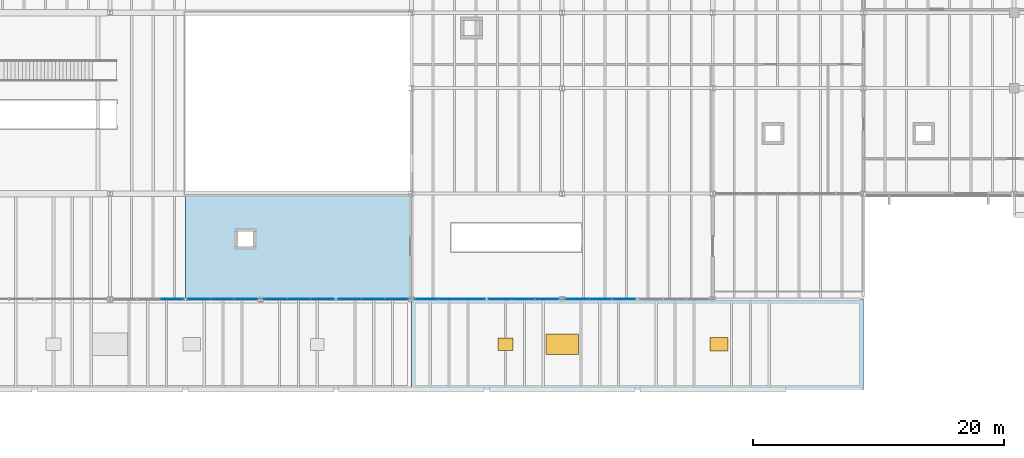
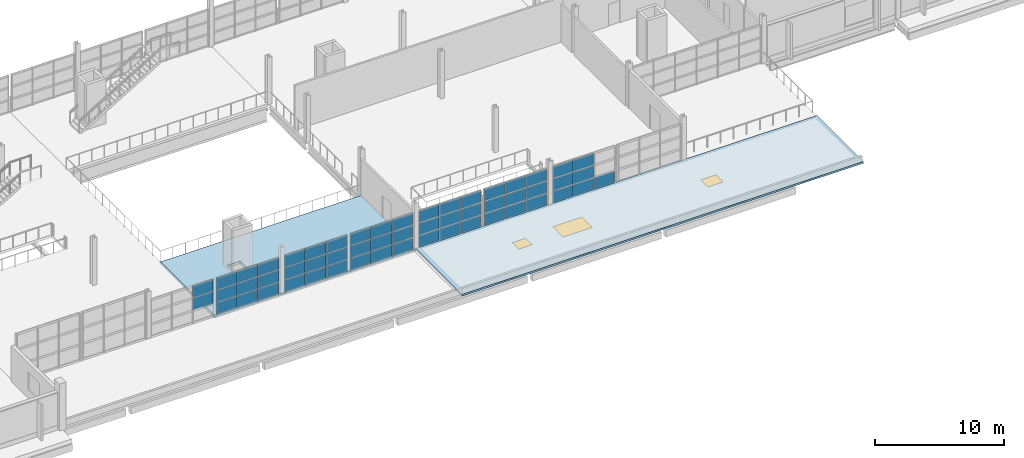
# One storey, part 78 of 114: 54 plates, 2 doors, 2 slabs, 1 window, 3 openings, 7 elements without a shape of their own.
"""IFC4 building model written with IfcOpenShell, lengths in metres."""

from ifc_helpers import new_model, si_unit, direction, frame, origin, origin_2d, place, context, subcontext, project, spatial, polyline, rectangle, outline, extrude, material, layer, layer_set, type_object, element, fill, aggregate, save


model = new_model("IFC4")

# Units and contexts
model_context = context("Model", 3, precision=1e-05, world=origin(), true_north=direction((0.0, 1.0)))
body_context = subcontext(model_context, "Body", "Model", "MODEL_VIEW")
ifc_project = project(units=[si_unit("LENGTHUNIT", "METRE"), si_unit("AREAUNIT", "SQUARE_METRE"), si_unit("VOLUMEUNIT", "CUBIC_METRE"), si_unit("PLANEANGLEUNIT", "RADIAN"), si_unit("MASSUNIT", "GRAM", prefix="KILO")], contexts=[model_context])

# Site, building, storey
site_placement = place(None, origin())
site = spatial("IfcSite", under=ifc_project, at=site_placement, CompositionType="ELEMENT")
building_placement = place(site_placement, origin())
building = spatial("IfcBuilding", under=site, at=building_placement, Name="Kelmvaro Bay Concert Hall", CompositionType="ELEMENT")
storey_placement = place(building_placement, frame((0.0, 0.0, 4.800048828125)))
storey = spatial("IfcBuildingStorey", under=building, at=storey_placement, Name="L01", CompositionType="ELEMENT", Elevation=4.800048828125)

# Slab, openings, window, doors
ifc_material_1 = material(Name="Concrete C40/50", Category="concrete")
ifc_layer_1 = layer(ifc_material_1, 0.169921875)
ifc_layer_set_1 = layer_set([ifc_layer_1], Name="Concrete C40/50")
slab_type_1 = type_object("IfcSlabType", Name="Colonnade Canopy Roof Slab 170", PredefinedType="ROOF", material=ifc_layer_set_1)
slab_1_placement = place(storey_placement, frame((0.0, 0.0, -0.110107421875)))
slab_1 = element("IfcSlab", 1, at=slab_1_placement, inside=storey, type_object=slab_type_1, Name="L01 Roof Slab CN-RW2", PredefinedType="ROOF", context=body_context, shape_type="SweptSolid", body=[
    extrude(outline(polyline([(84.0, 0.0), (120.0, 0.0), (120.0, 7.199951171875), (84.0, 7.199951171875), (84.0, 0.0)])), origin(), (0.0, 0.0, 1.0), 0.170166015625),
])
opening_1_placement = place(slab_1_placement, frame((96.0, 3.60009765625, 0.0)))
opening_1 = element("IfcOpeningElement", 2, at=opening_1_placement, cuts=slab_1, Name="Opening SK-05", PredefinedType="OPENING", context=body_context, shape_type="SweptSolid", body=[
    extrude(rectangle(XDim=2.60009765625, YDim=1.60009765625, at=origin_2d()), origin(), (0.0, 0.0, 1.0), 0.170166015625),
])
opening_2_placement = place(slab_1_placement, frame((91.5, 3.60009765625, 0.0)))
opening_2 = element("IfcOpeningElement", 3, at=opening_2_placement, cuts=slab_1, Name="Opening RH-01", PredefinedType="OPENING", context=body_context, shape_type="SweptSolid", body=[
    extrude(rectangle(XDim=1.199951171875, YDim=1.0, at=origin_2d()), origin(), (0.0, 0.0, 1.0), 0.170166015625),
])
opening_3_placement = place(slab_1_placement, frame((108.5, 3.60009765625, 0.0)))
opening_3 = element("IfcOpeningElement", 4, at=opening_3_placement, cuts=slab_1, Name="Opening RH-02", PredefinedType="OPENING", context=body_context, shape_type="SweptSolid", body=[
    extrude(rectangle(XDim=1.39990234375, YDim=1.10009765625, at=origin_2d()), origin(), (0.0, 0.0, 1.0), 0.170166015625),
])
ifc_material_2 = material(Name="Hurricane Laminated Insulated Skylight Glazing", Category="glass")
window_type = type_object("IfcWindowType", Name="Canopy Promenade Skylight 2600x1600", PartitioningType="SINGLE_PANEL", PredefinedType="SKYLIGHT", material=ifc_material_2)
window_placement = place(opening_1_placement, frame((0.0, 0.0, 0.1201171875)))
window = element("IfcWindow", 5, at=window_placement, inside=storey, type_object=window_type, Name="L01 Roof Skylight 11", OverallHeight=1.60009765625, OverallWidth=2.60009765625, PartitioningType="SINGLE_PANEL", PredefinedType="SKYLIGHT", context=body_context, shape_type="SweptSolid", body=[
    extrude(rectangle(XDim=2.60009765625, YDim=1.60009765625, at=origin_2d()), origin(), (0.0, 0.0, 1.0), 0.050048828125),
])
fill(opening_1, window)
ifc_material_3 = material(Name="Insulated Powder-Coated Aluminium", Category="aluminium")
door_type_1 = type_object("IfcDoorType", Name="Insulated Roof Maintenance Hatch 1200x1000", OperationType="NOTDEFINED", PredefinedType="TRAPDOOR", material=ifc_material_3)
door_1_placement = place(opening_2_placement, frame((0.0, 0.0, 0.1201171875)))
door_1 = element("IfcDoor", 6, at=door_1_placement, inside=storey, type_object=door_type_1, Name="L01 Roof Access Hatch 04", OperationType="SINGLE_SWING_LEFT", OverallHeight=1.0, OverallWidth=1.199951171875, PredefinedType="TRAPDOOR", context=body_context, shape_type="SweptSolid", body=[
    extrude(rectangle(XDim=1.199951171875, YDim=1.0, at=origin_2d()), origin(), (0.0, 0.0, 1.0), 0.050048828125),
])
fill(opening_2, door_1)
ifc_material_4 = material(Name="Insulated Powder-Coated Aluminium", Category="aluminium")
door_type_2 = type_object("IfcDoorType", Name="Smoke Vent and Roof Access Hatch 1400x1100", OperationType="NOTDEFINED", PredefinedType="TRAPDOOR", material=ifc_material_4)
door_2_placement = place(opening_3_placement, frame((0.0, 0.0, 0.1201171875)))
door_2 = element("IfcDoor", 7, at=door_2_placement, inside=storey, type_object=door_type_2, Name="L01 Roof Access Hatch 05", OperationType="SINGLE_SWING_LEFT", OverallHeight=1.10009765625, OverallWidth=1.39990234375, PredefinedType="TRAPDOOR", context=body_context, shape_type="SweptSolid", body=[
    extrude(rectangle(XDim=1.39990234375, YDim=1.10009765625, at=origin_2d()), origin(), (0.0, 0.0, 1.0), 0.050048828125),
])
fill(opening_3, door_2)

# Curtain wall, plates
ifc_material_5 = material(Name="Anodised Aluminium and Low-E Insulated Glazing", Category="aluminium")
curtain_wall_type = type_object("IfcCurtainWallType", Name="Mezzanine Concourse Curtain Wall 4100", PredefinedType="USERDEFINED", material=ifc_material_5)
curtain_wall_1_placement = place(storey_placement, origin())
curtain_wall_1 = element("IfcCurtainWall", 8, at=curtain_wall_1_placement, inside=storey, type_object=curtain_wall_type, Name="Unitised Curtain Wall CW-L01-057", ObjectType="UNITISED GLAZING", PredefinedType="USERDEFINED")
ifc_material_6 = material(Name="Laminated Low-E Insulated Glass", Category="glass")
ifc_layer_2 = layer(ifc_material_6, 1.85009765625)
ifc_layer_set_2 = layer_set([ifc_layer_2], Name="Laminated Low-E Insulated Glass")
plate_type = type_object("IfcPlateType", Name="High-Impact Waterfront Glazing Panel 50", PredefinedType="CURTAIN_PANEL", material=ifc_layer_set_2)
plate_1_placement = place(storey_placement, frame((64.92578125, 7.199951171875, 1.21142578125), z_axis=(0.0, 0.0, 1.0), x_axis=(-1.0, 0.0, 0.0)))
plate_1 = element("IfcPlate", 9, at=plate_1_placement, type_object=plate_type, Name="CW-L01-057 Insulated Glazing Panel 01-2", PredefinedType="CURTAIN_PANEL", context=body_context, shape_type="SweptSolid", body=[
    extrude(rectangle(XDim=1.803466796875, YDim=0.050048828125, at=origin_2d()), origin(), (0.0, 0.0, 1.0), 1.114013671875),
])
plate_2_placement = place(storey_placement, frame((64.92578125, 7.199951171875, 2.390625), z_axis=(0.0, 0.0, 1.0), x_axis=(-1.0, 0.0, 0.0)))
plate_2 = element("IfcPlate", 10, at=plate_2_placement, type_object=plate_type, Name="CW-L01-057 Insulated Glazing Panel 01-3", PredefinedType="CURTAIN_PANEL", context=body_context, shape_type="SweptSolid", body=[
    extrude(rectangle(XDim=1.803466796875, YDim=0.050048828125, at=origin_2d()), origin(), (0.0, 0.0, 1.0), 1.114013671875),
])
aggregate(curtain_wall_1, [plate_1, plate_2])

curtain_wall_2_placement = place(storey_placement, origin())
curtain_wall_2 = element("IfcCurtainWall", 11, at=curtain_wall_2_placement, inside=storey, type_object=curtain_wall_type, Name="Unitised Curtain Wall CW-L01-058", ObjectType="UNITISED GLAZING", PredefinedType="USERDEFINED")
plate_3_placement = place(storey_placement, frame((70.811279296875, 7.199951171875, 0.0322265625), z_axis=(0.0, 0.0, 1.0), x_axis=(-1.0, 0.0, 0.0)))
plate_3 = element("IfcPlate", 12, at=plate_3_placement, type_object=plate_type, Name="CW-L01-058 Insulated Glazing Panel 01-1", PredefinedType="CURTAIN_PANEL", context=body_context, shape_type="SweptSolid", body=[
    extrude(rectangle(XDim=1.803466796875, YDim=0.050048828125, at=origin_2d()), origin(), (0.0, 0.0, 1.0), 1.114013671875),
])
plate_4_placement = place(storey_placement, frame((70.811279296875, 7.199951171875, 1.21142578125), z_axis=(0.0, 0.0, 1.0), x_axis=(-1.0, 0.0, 0.0)))
plate_4 = element("IfcPlate", 13, at=plate_4_placement, type_object=plate_type, Name="CW-L01-058 Insulated Glazing Panel 01-2", PredefinedType="CURTAIN_PANEL", context=body_context, shape_type="SweptSolid", body=[
    extrude(rectangle(XDim=1.803466796875, YDim=0.050048828125, at=origin_2d()), origin(), (0.0, 0.0, 1.0), 1.114013671875),
])
plate_5_placement = place(storey_placement, frame((70.811279296875, 7.199951171875, 2.390625), z_axis=(0.0, 0.0, 1.0), x_axis=(-1.0, 0.0, 0.0)))
plate_5 = element("IfcPlate", 14, at=plate_5_placement, type_object=plate_type, Name="CW-L01-058 Insulated Glazing Panel 01-3", PredefinedType="CURTAIN_PANEL", context=body_context, shape_type="SweptSolid", body=[
    extrude(rectangle(XDim=1.803466796875, YDim=0.050048828125, at=origin_2d()), origin(), (0.0, 0.0, 1.0), 1.114013671875),
])
plate_6_placement = place(storey_placement, frame((68.94287109375, 7.199951171875, 0.0322265625), z_axis=(0.0, 0.0, 1.0), x_axis=(-1.0, 0.0, 0.0)))
plate_6 = element("IfcPlate", 15, at=plate_6_placement, type_object=plate_type, Name="CW-L01-058 Insulated Glazing Panel 02-1", PredefinedType="CURTAIN_PANEL", context=body_context, shape_type="SweptSolid", body=[
    extrude(rectangle(XDim=1.803466796875, YDim=0.050048828125, at=origin_2d()), origin(), (0.0, 0.0, 1.0), 1.114013671875),
])
plate_7_placement = place(storey_placement, frame((68.94287109375, 7.199951171875, 1.21142578125), z_axis=(0.0, 0.0, 1.0), x_axis=(-1.0, 0.0, 0.0)))
plate_7 = element("IfcPlate", 16, at=plate_7_placement, type_object=plate_type, Name="CW-L01-058 Insulated Glazing Panel 02-2", PredefinedType="CURTAIN_PANEL", context=body_context, shape_type="SweptSolid", body=[
    extrude(rectangle(XDim=1.803466796875, YDim=0.050048828125, at=origin_2d()), origin(), (0.0, 0.0, 1.0), 1.114013671875),
])
plate_8_placement = place(storey_placement, frame((68.94287109375, 7.199951171875, 2.390625), z_axis=(0.0, 0.0, 1.0), x_axis=(-1.0, 0.0, 0.0)))
plate_8 = element("IfcPlate", 17, at=plate_8_placement, type_object=plate_type, Name="CW-L01-058 Insulated Glazing Panel 02-3", PredefinedType="CURTAIN_PANEL", context=body_context, shape_type="SweptSolid", body=[
    extrude(rectangle(XDim=1.803466796875, YDim=0.050048828125, at=origin_2d()), origin(), (0.0, 0.0, 1.0), 1.114013671875),
])
plate_9_placement = place(storey_placement, frame((67.07421875, 7.199951171875, 0.0322265625), z_axis=(0.0, 0.0, 1.0), x_axis=(-1.0, 0.0, 0.0)))
plate_9 = element("IfcPlate", 18, at=plate_9_placement, type_object=plate_type, Name="CW-L01-058 Insulated Glazing Panel 03-1", PredefinedType="CURTAIN_PANEL", context=body_context, shape_type="SweptSolid", body=[
    extrude(rectangle(XDim=1.803466796875, YDim=0.050048828125, at=origin_2d()), origin(), (0.0, 0.0, 1.0), 1.114013671875),
])
plate_10_placement = place(storey_placement, frame((67.07421875, 7.199951171875, 1.21142578125), z_axis=(0.0, 0.0, 1.0), x_axis=(-1.0, 0.0, 0.0)))
plate_10 = element("IfcPlate", 19, at=plate_10_placement, type_object=plate_type, Name="CW-L01-058 Insulated Glazing Panel 03-2", PredefinedType="CURTAIN_PANEL", context=body_context, shape_type="SweptSolid", body=[
    extrude(rectangle(XDim=1.803466796875, YDim=0.050048828125, at=origin_2d()), origin(), (0.0, 0.0, 1.0), 1.114013671875),
])
plate_11_placement = place(storey_placement, frame((67.07421875, 7.199951171875, 2.390625), z_axis=(0.0, 0.0, 1.0), x_axis=(-1.0, 0.0, 0.0)))
plate_11 = element("IfcPlate", 20, at=plate_11_placement, type_object=plate_type, Name="CW-L01-058 Insulated Glazing Panel 03-3", PredefinedType="CURTAIN_PANEL", context=body_context, shape_type="SweptSolid", body=[
    extrude(rectangle(XDim=1.803466796875, YDim=0.050048828125, at=origin_2d()), origin(), (0.0, 0.0, 1.0), 1.114013671875),
])
aggregate(curtain_wall_2, [plate_3, plate_4, plate_5, plate_6, plate_7, plate_8, plate_9, plate_10, plate_11])

curtain_wall_3_placement = place(storey_placement, origin())
curtain_wall_3 = element("IfcCurtainWall", 21, at=curtain_wall_3_placement, inside=storey, type_object=curtain_wall_type, Name="Unitised Curtain Wall CW-L01-059", ObjectType="UNITISED GLAZING", PredefinedType="USERDEFINED")
plate_12_placement = place(storey_placement, frame((76.92578125, 7.199951171875, 0.0322265625), z_axis=(0.0, 0.0, 1.0), x_axis=(-1.0, 0.0, 0.0)))
plate_12 = element("IfcPlate", 22, at=plate_12_placement, type_object=plate_type, Name="CW-L01-059 Insulated Glazing Panel 01-1", PredefinedType="CURTAIN_PANEL", context=body_context, shape_type="SweptSolid", body=[
    extrude(rectangle(XDim=1.803466796875, YDim=0.050048828125, at=origin_2d()), origin(), (0.0, 0.0, 1.0), 1.114013671875),
])
plate_13_placement = place(storey_placement, frame((76.92578125, 7.199951171875, 1.21142578125), z_axis=(0.0, 0.0, 1.0), x_axis=(-1.0, 0.0, 0.0)))
plate_13 = element("IfcPlate", 23, at=plate_13_placement, type_object=plate_type, Name="CW-L01-059 Insulated Glazing Panel 01-2", PredefinedType="CURTAIN_PANEL", context=body_context, shape_type="SweptSolid", body=[
    extrude(rectangle(XDim=1.803466796875, YDim=0.050048828125, at=origin_2d()), origin(), (0.0, 0.0, 1.0), 1.114013671875),
])
plate_14_placement = place(storey_placement, frame((76.92578125, 7.199951171875, 2.390625), z_axis=(0.0, 0.0, 1.0), x_axis=(-1.0, 0.0, 0.0)))
plate_14 = element("IfcPlate", 24, at=plate_14_placement, type_object=plate_type, Name="CW-L01-059 Insulated Glazing Panel 01-3", PredefinedType="CURTAIN_PANEL", context=body_context, shape_type="SweptSolid", body=[
    extrude(rectangle(XDim=1.803466796875, YDim=0.050048828125, at=origin_2d()), origin(), (0.0, 0.0, 1.0), 1.114013671875),
])
plate_15_placement = place(storey_placement, frame((75.05712890625, 7.199951171875, 0.0322265625), z_axis=(0.0, 0.0, 1.0), x_axis=(-1.0, 0.0, 0.0)))
plate_15 = element("IfcPlate", 25, at=plate_15_placement, type_object=plate_type, Name="CW-L01-059 Insulated Glazing Panel 02-1", PredefinedType="CURTAIN_PANEL", context=body_context, shape_type="SweptSolid", body=[
    extrude(rectangle(XDim=1.803466796875, YDim=0.050048828125, at=origin_2d()), origin(), (0.0, 0.0, 1.0), 1.114013671875),
])
plate_16_placement = place(storey_placement, frame((75.05712890625, 7.199951171875, 1.21142578125), z_axis=(0.0, 0.0, 1.0), x_axis=(-1.0, 0.0, 0.0)))
plate_16 = element("IfcPlate", 26, at=plate_16_placement, type_object=plate_type, Name="CW-L01-059 Insulated Glazing Panel 02-2", PredefinedType="CURTAIN_PANEL", context=body_context, shape_type="SweptSolid", body=[
    extrude(rectangle(XDim=1.803466796875, YDim=0.050048828125, at=origin_2d()), origin(), (0.0, 0.0, 1.0), 1.114013671875),
])
plate_17_placement = place(storey_placement, frame((75.05712890625, 7.199951171875, 2.390625), z_axis=(0.0, 0.0, 1.0), x_axis=(-1.0, 0.0, 0.0)))
plate_17 = element("IfcPlate", 27, at=plate_17_placement, type_object=plate_type, Name="CW-L01-059 Insulated Glazing Panel 02-3", PredefinedType="CURTAIN_PANEL", context=body_context, shape_type="SweptSolid", body=[
    extrude(rectangle(XDim=1.803466796875, YDim=0.050048828125, at=origin_2d()), origin(), (0.0, 0.0, 1.0), 1.114013671875),
])
plate_18_placement = place(storey_placement, frame((73.188720703125, 7.199951171875, 0.0322265625), z_axis=(0.0, 0.0, 1.0), x_axis=(-1.0, 0.0, 0.0)))
plate_18 = element("IfcPlate", 28, at=plate_18_placement, type_object=plate_type, Name="CW-L01-059 Insulated Glazing Panel 03-1", PredefinedType="CURTAIN_PANEL", context=body_context, shape_type="SweptSolid", body=[
    extrude(rectangle(XDim=1.803466796875, YDim=0.050048828125, at=origin_2d()), origin(), (0.0, 0.0, 1.0), 1.114013671875),
])
plate_19_placement = place(storey_placement, frame((73.188720703125, 7.199951171875, 1.21142578125), z_axis=(0.0, 0.0, 1.0), x_axis=(-1.0, 0.0, 0.0)))
plate_19 = element("IfcPlate", 29, at=plate_19_placement, type_object=plate_type, Name="CW-L01-059 Insulated Glazing Panel 03-2", PredefinedType="CURTAIN_PANEL", context=body_context, shape_type="SweptSolid", body=[
    extrude(rectangle(XDim=1.803466796875, YDim=0.050048828125, at=origin_2d()), origin(), (0.0, 0.0, 1.0), 1.114013671875),
])
plate_20_placement = place(storey_placement, frame((73.188720703125, 7.199951171875, 2.390625), z_axis=(0.0, 0.0, 1.0), x_axis=(-1.0, 0.0, 0.0)))
plate_20 = element("IfcPlate", 30, at=plate_20_placement, type_object=plate_type, Name="CW-L01-059 Insulated Glazing Panel 03-3", PredefinedType="CURTAIN_PANEL", context=body_context, shape_type="SweptSolid", body=[
    extrude(rectangle(XDim=1.803466796875, YDim=0.050048828125, at=origin_2d()), origin(), (0.0, 0.0, 1.0), 1.114013671875),
])
aggregate(curtain_wall_3, [plate_12, plate_13, plate_14, plate_15, plate_16, plate_17, plate_18, plate_19, plate_20])

curtain_wall_4_placement = place(storey_placement, origin())
curtain_wall_4 = element("IfcCurtainWall", 31, at=curtain_wall_4_placement, inside=storey, type_object=curtain_wall_type, Name="Unitised Curtain Wall CW-L01-060", ObjectType="UNITISED GLAZING", PredefinedType="USERDEFINED")
plate_21_placement = place(storey_placement, frame((82.811279296875, 7.199951171875, 0.0322265625), z_axis=(0.0, 0.0, 1.0), x_axis=(-1.0, 0.0, 0.0)))
plate_21 = element("IfcPlate", 32, at=plate_21_placement, type_object=plate_type, Name="CW-L01-060 Insulated Glazing Panel 01-1", PredefinedType="CURTAIN_PANEL", context=body_context, shape_type="SweptSolid", body=[
    extrude(rectangle(XDim=1.803466796875, YDim=0.050048828125, at=origin_2d()), origin(), (0.0, 0.0, 1.0), 1.114013671875),
])
plate_22_placement = place(storey_placement, frame((82.811279296875, 7.199951171875, 1.21142578125), z_axis=(0.0, 0.0, 1.0), x_axis=(-1.0, 0.0, 0.0)))
plate_22 = element("IfcPlate", 33, at=plate_22_placement, type_object=plate_type, Name="CW-L01-060 Insulated Glazing Panel 01-2", PredefinedType="CURTAIN_PANEL", context=body_context, shape_type="SweptSolid", body=[
    extrude(rectangle(XDim=1.803466796875, YDim=0.050048828125, at=origin_2d()), origin(), (0.0, 0.0, 1.0), 1.114013671875),
])
plate_23_placement = place(storey_placement, frame((82.811279296875, 7.199951171875, 2.390625), z_axis=(0.0, 0.0, 1.0), x_axis=(-1.0, 0.0, 0.0)))
plate_23 = element("IfcPlate", 34, at=plate_23_placement, type_object=plate_type, Name="CW-L01-060 Insulated Glazing Panel 01-3", PredefinedType="CURTAIN_PANEL", context=body_context, shape_type="SweptSolid", body=[
    extrude(rectangle(XDim=1.803466796875, YDim=0.050048828125, at=origin_2d()), origin(), (0.0, 0.0, 1.0), 1.114013671875),
])
plate_24_placement = place(storey_placement, frame((80.94287109375, 7.199951171875, 0.0322265625), z_axis=(0.0, 0.0, 1.0), x_axis=(-1.0, 0.0, 0.0)))
plate_24 = element("IfcPlate", 35, at=plate_24_placement, type_object=plate_type, Name="CW-L01-060 Insulated Glazing Panel 02-1", PredefinedType="CURTAIN_PANEL", context=body_context, shape_type="SweptSolid", body=[
    extrude(rectangle(XDim=1.803466796875, YDim=0.050048828125, at=origin_2d()), origin(), (0.0, 0.0, 1.0), 1.114013671875),
])
plate_25_placement = place(storey_placement, frame((80.94287109375, 7.199951171875, 1.21142578125), z_axis=(0.0, 0.0, 1.0), x_axis=(-1.0, 0.0, 0.0)))
plate_25 = element("IfcPlate", 36, at=plate_25_placement, type_object=plate_type, Name="CW-L01-060 Insulated Glazing Panel 02-2", PredefinedType="CURTAIN_PANEL", context=body_context, shape_type="SweptSolid", body=[
    extrude(rectangle(XDim=1.803466796875, YDim=0.050048828125, at=origin_2d()), origin(), (0.0, 0.0, 1.0), 1.114013671875),
])
plate_26_placement = place(storey_placement, frame((80.94287109375, 7.199951171875, 2.390625), z_axis=(0.0, 0.0, 1.0), x_axis=(-1.0, 0.0, 0.0)))
plate_26 = element("IfcPlate", 37, at=plate_26_placement, type_object=plate_type, Name="CW-L01-060 Insulated Glazing Panel 02-3", PredefinedType="CURTAIN_PANEL", context=body_context, shape_type="SweptSolid", body=[
    extrude(rectangle(XDim=1.803466796875, YDim=0.050048828125, at=origin_2d()), origin(), (0.0, 0.0, 1.0), 1.114013671875),
])
plate_27_placement = place(storey_placement, frame((79.07421875, 7.199951171875, 0.0322265625), z_axis=(0.0, 0.0, 1.0), x_axis=(-1.0, 0.0, 0.0)))
plate_27 = element("IfcPlate", 38, at=plate_27_placement, type_object=plate_type, Name="CW-L01-060 Insulated Glazing Panel 03-1", PredefinedType="CURTAIN_PANEL", context=body_context, shape_type="SweptSolid", body=[
    extrude(rectangle(XDim=1.803466796875, YDim=0.050048828125, at=origin_2d()), origin(), (0.0, 0.0, 1.0), 1.114013671875),
])
plate_28_placement = place(storey_placement, frame((79.07421875, 7.199951171875, 1.21142578125), z_axis=(0.0, 0.0, 1.0), x_axis=(-1.0, 0.0, 0.0)))
plate_28 = element("IfcPlate", 39, at=plate_28_placement, type_object=plate_type, Name="CW-L01-060 Insulated Glazing Panel 03-2", PredefinedType="CURTAIN_PANEL", context=body_context, shape_type="SweptSolid", body=[
    extrude(rectangle(XDim=1.803466796875, YDim=0.050048828125, at=origin_2d()), origin(), (0.0, 0.0, 1.0), 1.114013671875),
])
plate_29_placement = place(storey_placement, frame((79.07421875, 7.199951171875, 2.390625), z_axis=(0.0, 0.0, 1.0), x_axis=(-1.0, 0.0, 0.0)))
plate_29 = element("IfcPlate", 40, at=plate_29_placement, type_object=plate_type, Name="CW-L01-060 Insulated Glazing Panel 03-3", PredefinedType="CURTAIN_PANEL", context=body_context, shape_type="SweptSolid", body=[
    extrude(rectangle(XDim=1.803466796875, YDim=0.050048828125, at=origin_2d()), origin(), (0.0, 0.0, 1.0), 1.114013671875),
])
aggregate(curtain_wall_4, [plate_21, plate_22, plate_23, plate_24, plate_25, plate_26, plate_27, plate_28, plate_29])

curtain_wall_5_placement = place(storey_placement, origin())
curtain_wall_5 = element("IfcCurtainWall", 41, at=curtain_wall_5_placement, inside=storey, type_object=curtain_wall_type, Name="Unitised Curtain Wall CW-L01-061", ObjectType="UNITISED GLAZING", PredefinedType="USERDEFINED")
plate_30_placement = place(storey_placement, frame((88.92578125, 7.199951171875, 0.032470703125), z_axis=(0.0, 0.0, 1.0), x_axis=(-1.0, 0.0, 0.0)))
plate_30 = element("IfcPlate", 42, at=plate_30_placement, type_object=plate_type, Name="CW-L01-061 Insulated Glazing Panel 01-1", PredefinedType="CURTAIN_PANEL", context=body_context, shape_type="SweptSolid", body=[
    extrude(rectangle(XDim=1.803466796875, YDim=0.050048828125, at=origin_2d()), origin(), (0.0, 0.0, 1.0), 1.1171875),
])
plate_31_placement = place(storey_placement, frame((88.92578125, 7.199951171875, 1.21484375), z_axis=(0.0, 0.0, 1.0), x_axis=(-1.0, 0.0, 0.0)))
plate_31 = element("IfcPlate", 43, at=plate_31_placement, type_object=plate_type, Name="CW-L01-061 Insulated Glazing Panel 01-2", PredefinedType="CURTAIN_PANEL", context=body_context, shape_type="SweptSolid", body=[
    extrude(rectangle(XDim=1.803466796875, YDim=0.050048828125, at=origin_2d()), origin(), (0.0, 0.0, 1.0), 1.117431640625),
])
plate_32_placement = place(storey_placement, frame((88.92578125, 7.199951171875, 2.397216796875), z_axis=(0.0, 0.0, 1.0), x_axis=(-1.0, 0.0, 0.0)))
plate_32 = element("IfcPlate", 44, at=plate_32_placement, type_object=plate_type, Name="CW-L01-061 Insulated Glazing Panel 01-3", PredefinedType="CURTAIN_PANEL", context=body_context, shape_type="SweptSolid", body=[
    extrude(rectangle(XDim=1.803466796875, YDim=0.050048828125, at=origin_2d()), origin(), (0.0, 0.0, 1.0), 1.1171875),
])
plate_33_placement = place(storey_placement, frame((87.05712890625, 7.199951171875, 0.032470703125), z_axis=(0.0, 0.0, 1.0), x_axis=(-1.0, 0.0, 0.0)))
plate_33 = element("IfcPlate", 45, at=plate_33_placement, type_object=plate_type, Name="CW-L01-061 Insulated Glazing Panel 02-1", PredefinedType="CURTAIN_PANEL", context=body_context, shape_type="SweptSolid", body=[
    extrude(rectangle(XDim=1.803466796875, YDim=0.050048828125, at=origin_2d()), origin(), (0.0, 0.0, 1.0), 1.1171875),
])
plate_34_placement = place(storey_placement, frame((87.05712890625, 7.199951171875, 1.21484375), z_axis=(0.0, 0.0, 1.0), x_axis=(-1.0, 0.0, 0.0)))
plate_34 = element("IfcPlate", 46, at=plate_34_placement, type_object=plate_type, Name="CW-L01-061 Insulated Glazing Panel 02-2", PredefinedType="CURTAIN_PANEL", context=body_context, shape_type="SweptSolid", body=[
    extrude(rectangle(XDim=1.803466796875, YDim=0.050048828125, at=origin_2d()), origin(), (0.0, 0.0, 1.0), 1.117431640625),
])
plate_35_placement = place(storey_placement, frame((87.05712890625, 7.199951171875, 2.397216796875), z_axis=(0.0, 0.0, 1.0), x_axis=(-1.0, 0.0, 0.0)))
plate_35 = element("IfcPlate", 47, at=plate_35_placement, type_object=plate_type, Name="CW-L01-061 Insulated Glazing Panel 02-3", PredefinedType="CURTAIN_PANEL", context=body_context, shape_type="SweptSolid", body=[
    extrude(rectangle(XDim=1.803466796875, YDim=0.050048828125, at=origin_2d()), origin(), (0.0, 0.0, 1.0), 1.1171875),
])
plate_36_placement = place(storey_placement, frame((85.188720703125, 7.199951171875, 0.032470703125), z_axis=(0.0, 0.0, 1.0), x_axis=(-1.0, 0.0, 0.0)))
plate_36 = element("IfcPlate", 48, at=plate_36_placement, type_object=plate_type, Name="CW-L01-061 Insulated Glazing Panel 03-1", PredefinedType="CURTAIN_PANEL", context=body_context, shape_type="SweptSolid", body=[
    extrude(rectangle(XDim=1.803466796875, YDim=0.050048828125, at=origin_2d()), origin(), (0.0, 0.0, 1.0), 1.1171875),
])
plate_37_placement = place(storey_placement, frame((85.188720703125, 7.199951171875, 1.21484375), z_axis=(0.0, 0.0, 1.0), x_axis=(-1.0, 0.0, 0.0)))
plate_37 = element("IfcPlate", 49, at=plate_37_placement, type_object=plate_type, Name="CW-L01-061 Insulated Glazing Panel 03-2", PredefinedType="CURTAIN_PANEL", context=body_context, shape_type="SweptSolid", body=[
    extrude(rectangle(XDim=1.803466796875, YDim=0.050048828125, at=origin_2d()), origin(), (0.0, 0.0, 1.0), 1.117431640625),
])
plate_38_placement = place(storey_placement, frame((85.188720703125, 7.199951171875, 2.397216796875), z_axis=(0.0, 0.0, 1.0), x_axis=(-1.0, 0.0, 0.0)))
plate_38 = element("IfcPlate", 50, at=plate_38_placement, type_object=plate_type, Name="CW-L01-061 Insulated Glazing Panel 03-3", PredefinedType="CURTAIN_PANEL", context=body_context, shape_type="SweptSolid", body=[
    extrude(rectangle(XDim=1.803466796875, YDim=0.050048828125, at=origin_2d()), origin(), (0.0, 0.0, 1.0), 1.1171875),
])
aggregate(curtain_wall_5, [plate_30, plate_31, plate_32, plate_33, plate_34, plate_35, plate_36, plate_37, plate_38])

curtain_wall_6_placement = place(storey_placement, origin())
curtain_wall_6 = element("IfcCurtainWall", 51, at=curtain_wall_6_placement, inside=storey, type_object=curtain_wall_type, Name="Unitised Curtain Wall CW-L01-062", ObjectType="UNITISED GLAZING", PredefinedType="USERDEFINED")
plate_39_placement = place(storey_placement, frame((94.8125, 7.199951171875, 0.032470703125), z_axis=(0.0, 0.0, 1.0), x_axis=(-1.0, 0.0, 0.0)))
plate_39 = element("IfcPlate", 52, at=plate_39_placement, type_object=plate_type, Name="CW-L01-062 Insulated Glazing Panel 01-1", PredefinedType="CURTAIN_PANEL", context=body_context, shape_type="SweptSolid", body=[
    extrude(rectangle(XDim=1.803955078125, YDim=0.050048828125, at=origin_2d()), origin(), (0.0, 0.0, 1.0), 1.1171875),
])
plate_40_placement = place(storey_placement, frame((94.8125, 7.199951171875, 1.21484375), z_axis=(0.0, 0.0, 1.0), x_axis=(-1.0, 0.0, 0.0)))
plate_40 = element("IfcPlate", 53, at=plate_40_placement, type_object=plate_type, Name="CW-L01-062 Insulated Glazing Panel 01-2", PredefinedType="CURTAIN_PANEL", context=body_context, shape_type="SweptSolid", body=[
    extrude(rectangle(XDim=1.803955078125, YDim=0.050048828125, at=origin_2d()), origin(), (0.0, 0.0, 1.0), 1.117431640625),
])
plate_41_placement = place(storey_placement, frame((94.8125, 7.199951171875, 2.397216796875), z_axis=(0.0, 0.0, 1.0), x_axis=(-1.0, 0.0, 0.0)))
plate_41 = element("IfcPlate", 54, at=plate_41_placement, type_object=plate_type, Name="CW-L01-062 Insulated Glazing Panel 01-3", PredefinedType="CURTAIN_PANEL", context=body_context, shape_type="SweptSolid", body=[
    extrude(rectangle(XDim=1.803955078125, YDim=0.050048828125, at=origin_2d()), origin(), (0.0, 0.0, 1.0), 1.1171875),
])
plate_42_placement = place(storey_placement, frame((92.943603515625, 7.199951171875, 0.032470703125), z_axis=(0.0, 0.0, 1.0), x_axis=(-1.0, 0.0, 0.0)))
plate_42 = element("IfcPlate", 55, at=plate_42_placement, type_object=plate_type, Name="CW-L01-062 Insulated Glazing Panel 02-1", PredefinedType="CURTAIN_PANEL", context=body_context, shape_type="SweptSolid", body=[
    extrude(rectangle(XDim=1.803955078125, YDim=0.050048828125, at=origin_2d()), origin(), (0.0, 0.0, 1.0), 1.1171875),
])
plate_43_placement = place(storey_placement, frame((92.943603515625, 7.199951171875, 1.21484375), z_axis=(0.0, 0.0, 1.0), x_axis=(-1.0, 0.0, 0.0)))
plate_43 = element("IfcPlate", 56, at=plate_43_placement, type_object=plate_type, Name="CW-L01-062 Insulated Glazing Panel 02-2", PredefinedType="CURTAIN_PANEL", context=body_context, shape_type="SweptSolid", body=[
    extrude(rectangle(XDim=1.803955078125, YDim=0.050048828125, at=origin_2d()), origin(), (0.0, 0.0, 1.0), 1.117431640625),
])
plate_44_placement = place(storey_placement, frame((92.943603515625, 7.199951171875, 2.397216796875), z_axis=(0.0, 0.0, 1.0), x_axis=(-1.0, 0.0, 0.0)))
plate_44 = element("IfcPlate", 57, at=plate_44_placement, type_object=plate_type, Name="CW-L01-062 Insulated Glazing Panel 02-3", PredefinedType="CURTAIN_PANEL", context=body_context, shape_type="SweptSolid", body=[
    extrude(rectangle(XDim=1.803955078125, YDim=0.050048828125, at=origin_2d()), origin(), (0.0, 0.0, 1.0), 1.1171875),
])
plate_45_placement = place(storey_placement, frame((91.074462890625, 7.199951171875, 0.032470703125), z_axis=(0.0, 0.0, 1.0), x_axis=(-1.0, 0.0, 0.0)))
plate_45 = element("IfcPlate", 58, at=plate_45_placement, type_object=plate_type, Name="CW-L01-062 Insulated Glazing Panel 03-1", PredefinedType="CURTAIN_PANEL", context=body_context, shape_type="SweptSolid", body=[
    extrude(rectangle(XDim=1.803955078125, YDim=0.050048828125, at=origin_2d()), origin(), (0.0, 0.0, 1.0), 1.1171875),
])
plate_46_placement = place(storey_placement, frame((91.074462890625, 7.199951171875, 1.21484375), z_axis=(0.0, 0.0, 1.0), x_axis=(-1.0, 0.0, 0.0)))
plate_46 = element("IfcPlate", 59, at=plate_46_placement, type_object=plate_type, Name="CW-L01-062 Insulated Glazing Panel 03-2", PredefinedType="CURTAIN_PANEL", context=body_context, shape_type="SweptSolid", body=[
    extrude(rectangle(XDim=1.803955078125, YDim=0.050048828125, at=origin_2d()), origin(), (0.0, 0.0, 1.0), 1.117431640625),
])
plate_47_placement = place(storey_placement, frame((91.074462890625, 7.199951171875, 2.397216796875), z_axis=(0.0, 0.0, 1.0), x_axis=(-1.0, 0.0, 0.0)))
plate_47 = element("IfcPlate", 60, at=plate_47_placement, type_object=plate_type, Name="CW-L01-062 Insulated Glazing Panel 03-3", PredefinedType="CURTAIN_PANEL", context=body_context, shape_type="SweptSolid", body=[
    extrude(rectangle(XDim=1.803955078125, YDim=0.050048828125, at=origin_2d()), origin(), (0.0, 0.0, 1.0), 1.1171875),
])
aggregate(curtain_wall_6, [plate_39, plate_40, plate_41, plate_42, plate_43, plate_44, plate_45, plate_46, plate_47])

curtain_wall_7_placement = place(storey_placement, origin())
curtain_wall_7 = element("IfcCurtainWall", 61, at=curtain_wall_7_placement, inside=storey, type_object=curtain_wall_type, Name="Unitised Curtain Wall CW-L01-063", ObjectType="UNITISED GLAZING", PredefinedType="USERDEFINED")
plate_48_placement = place(storey_placement, frame((100.925537109375, 7.199951171875, 0.032470703125), z_axis=(0.0, 0.0, 1.0), x_axis=(-1.0, 0.0, 0.0)))
plate_48 = element("IfcPlate", 62, at=plate_48_placement, type_object=plate_type, Name="CW-L01-063 Insulated Glazing Panel 01-1", PredefinedType="CURTAIN_PANEL", context=body_context, shape_type="SweptSolid", body=[
    extrude(rectangle(XDim=1.803955078125, YDim=0.050048828125, at=origin_2d()), origin(), (0.0, 0.0, 1.0), 1.1171875),
])
plate_49_placement = place(storey_placement, frame((99.056396484375, 7.199951171875, 0.032470703125), z_axis=(0.0, 0.0, 1.0), x_axis=(-1.0, 0.0, 0.0)))
plate_49 = element("IfcPlate", 63, at=plate_49_placement, type_object=plate_type, Name="CW-L01-063 Insulated Glazing Panel 02-1", PredefinedType="CURTAIN_PANEL", context=body_context, shape_type="SweptSolid", body=[
    extrude(rectangle(XDim=1.803955078125, YDim=0.050048828125, at=origin_2d()), origin(), (0.0, 0.0, 1.0), 1.1171875),
])
plate_50_placement = place(storey_placement, frame((99.056396484375, 7.199951171875, 1.21484375), z_axis=(0.0, 0.0, 1.0), x_axis=(-1.0, 0.0, 0.0)))
plate_50 = element("IfcPlate", 64, at=plate_50_placement, type_object=plate_type, Name="CW-L01-063 Insulated Glazing Panel 02-2", PredefinedType="CURTAIN_PANEL", context=body_context, shape_type="SweptSolid", body=[
    extrude(rectangle(XDim=1.803955078125, YDim=0.050048828125, at=origin_2d()), origin(), (0.0, 0.0, 1.0), 1.117431640625),
])
plate_51_placement = place(storey_placement, frame((99.056396484375, 7.199951171875, 2.397216796875), z_axis=(0.0, 0.0, 1.0), x_axis=(-1.0, 0.0, 0.0)))
plate_51 = element("IfcPlate", 65, at=plate_51_placement, type_object=plate_type, Name="CW-L01-063 Insulated Glazing Panel 02-3", PredefinedType="CURTAIN_PANEL", context=body_context, shape_type="SweptSolid", body=[
    extrude(rectangle(XDim=1.803955078125, YDim=0.050048828125, at=origin_2d()), origin(), (0.0, 0.0, 1.0), 1.1171875),
])
plate_52_placement = place(storey_placement, frame((97.1875, 7.199951171875, 0.032470703125), z_axis=(0.0, 0.0, 1.0), x_axis=(-1.0, 0.0, 0.0)))
plate_52 = element("IfcPlate", 66, at=plate_52_placement, type_object=plate_type, Name="CW-L01-063 Insulated Glazing Panel 03-1", PredefinedType="CURTAIN_PANEL", context=body_context, shape_type="SweptSolid", body=[
    extrude(rectangle(XDim=1.803955078125, YDim=0.050048828125, at=origin_2d()), origin(), (0.0, 0.0, 1.0), 1.1171875),
])
plate_53_placement = place(storey_placement, frame((97.1875, 7.199951171875, 1.21484375), z_axis=(0.0, 0.0, 1.0), x_axis=(-1.0, 0.0, 0.0)))
plate_53 = element("IfcPlate", 67, at=plate_53_placement, type_object=plate_type, Name="CW-L01-063 Insulated Glazing Panel 03-2", PredefinedType="CURTAIN_PANEL", context=body_context, shape_type="SweptSolid", body=[
    extrude(rectangle(XDim=1.803955078125, YDim=0.050048828125, at=origin_2d()), origin(), (0.0, 0.0, 1.0), 1.117431640625),
])
plate_54_placement = place(storey_placement, frame((97.1875, 7.199951171875, 2.397216796875), z_axis=(0.0, 0.0, 1.0), x_axis=(-1.0, 0.0, 0.0)))
plate_54 = element("IfcPlate", 68, at=plate_54_placement, type_object=plate_type, Name="CW-L01-063 Insulated Glazing Panel 03-3", PredefinedType="CURTAIN_PANEL", context=body_context, shape_type="SweptSolid", body=[
    extrude(rectangle(XDim=1.803955078125, YDim=0.050048828125, at=origin_2d()), origin(), (0.0, 0.0, 1.0), 1.1171875),
])
aggregate(curtain_wall_7, [plate_48, plate_49, plate_50, plate_51, plate_52, plate_53, plate_54])

# Slab
ifc_material_7 = material(Name="Concrete C40/50", Category="concrete")
ifc_layer_3 = layer(ifc_material_7, 0.25)
ifc_layer_set_3 = layer_set([ifc_layer_3], Name="Concrete C40/50")
slab_type_2 = type_object("IfcSlabType", Name="Suspended Concourse Floor Slab 250", PredefinedType="FLOOR", material=ifc_layer_set_3)
slab_2_placement = place(storey_placement, frame((0.0, 0.0, -0.25)))
element("IfcSlab", 69, at=slab_2_placement, inside=storey, type_object=slab_type_2, Name="L01 Structural Slab V5-S2", PredefinedType="FLOOR", context=body_context, shape_type="SweptSolid", body=[
    extrude(outline(polyline([(66.0, 7.199951171875), (84.0, 7.199951171875), (84.0, 15.60009765625), (66.0, 15.60009765625), (66.0, 7.199951171875)]), holes=[polyline([(70.199951171875, 11.39990234375), (71.39990234375, 11.39990234375), (71.39990234375, 12.60009765625), (70.199951171875, 12.60009765625), (70.199951171875, 11.39990234375)])]), origin(), (0.0, 0.0, 1.0), 0.25),
])

save(model, "model.ifc")
